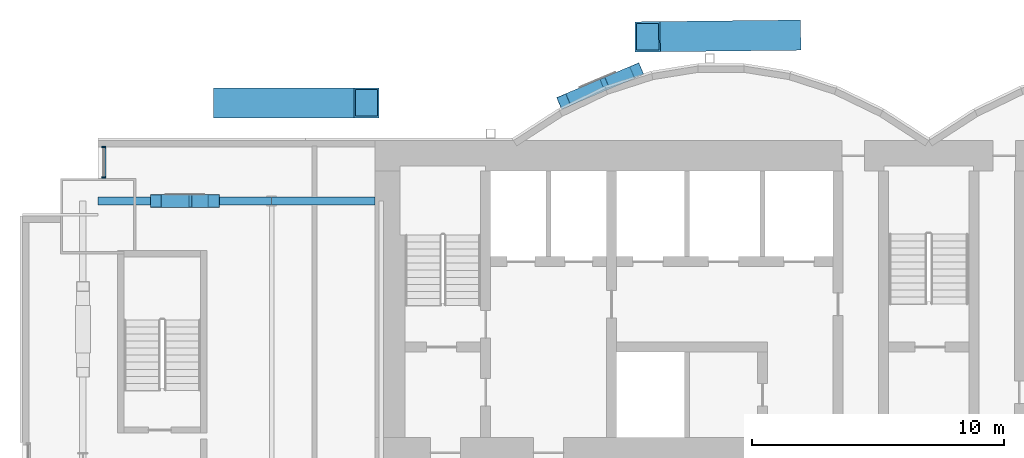
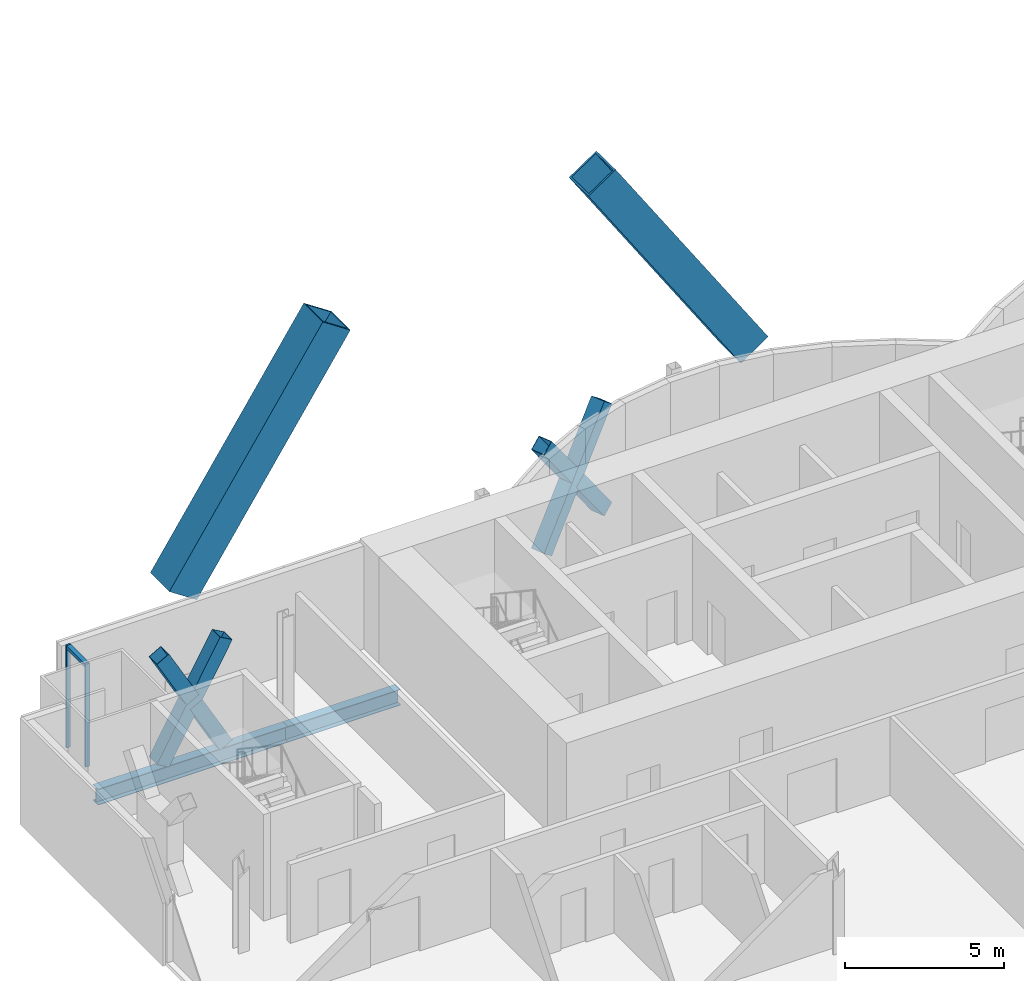
# One storey, part 11 of 22: 11 members, 2 beams, 1 element without a shape of its own.
"""IFC4 building model written with IfcOpenShell, lengths in metres."""

from ifc_helpers import new_model, si_unit, direction, frame, origin, origin_2d, place, context, subcontext, project, spatial, rectangle, hollow_rectangle, i_section, extrude, material, material_profile, profile_set, type_object, element, aggregate, save


model = new_model("IFC4")

# Units and contexts
model_context = context("Model", 3, precision=1e-05, world=origin(), true_north=direction((0.0, 1.0)))
body_context = subcontext(model_context, "Body", "Model", "MODEL_VIEW")
ifc_project = project(units=[si_unit("LENGTHUNIT", "METRE"), si_unit("AREAUNIT", "SQUARE_METRE"), si_unit("VOLUMEUNIT", "CUBIC_METRE"), si_unit("PLANEANGLEUNIT", "RADIAN"), si_unit("MASSUNIT", "GRAM", prefix="KILO")], contexts=[model_context])

# Site, building, storey
site_placement = place(None, origin())
site = spatial("IfcSite", under=ifc_project, at=site_placement, CompositionType="ELEMENT")
building_placement = place(site_placement, origin())
building = spatial("IfcBuilding", under=site, at=building_placement, Name="Bicima Exchange Tower", CompositionType="ELEMENT")
storey_placement = place(building_placement, frame((0.0, 0.0, 94.0)))
storey = spatial("IfcBuildingStorey", under=building, at=storey_placement, Name="L19", CompositionType="ELEMENT", Elevation=94.0)

# Members
ifc_material_1 = material(Name="Steel ASTM A572 Gr 50", Category="steel")
ifc_material_profile_1 = material_profile(ifc_material_1, hollow_rectangle(XDim=1.199951171875, YDim=1.199951171875, WallThickness=0.070068359375, at=origin_2d()))
ifc_profile_set_1 = profile_set([ifc_material_profile_1], Name="Steel ASTM A572 Gr 50")
member_type_1 = type_object("IfcMemberType", Name="Exo mega brace BOX 1200x1200x70", PredefinedType="BRACE", material=ifc_profile_set_1)
member_1_placement = place(storey_placement, frame((-27.916748046875, 1.5, 3.416748046875), z_axis=(0.55281335708, 0.0, 0.833305101529), x_axis=(0.0, 1.0, 0.0)))
element("IfcMember", 1, at=member_1_placement, inside=storey, type_object=member_type_1, Name="Exo mega brace rear", PredefinedType="BRACE", context=body_context, shape_type="SweptSolid", body=[
    extrude(hollow_rectangle(XDim=1.199951171875, YDim=1.199951171875, WallThickness=0.070068359375, at=origin_2d()), origin(), (0.0, 0.0, 1.0), 10.10009765625),
])
member_2_placement = place(storey_placement, frame((-5.583251953125, 4.1865234375, 3.416748046875), z_axis=(-0.552803101452, -0.006091227878, 0.833289642302), x_axis=(0.011018133066, -0.99993929853, 0.0)))
element("IfcMember", 2, at=member_2_placement, inside=storey, type_object=member_type_1, Name="Exo mega brace rear", PredefinedType="BRACE", context=body_context, shape_type="SweptSolid", body=[
    extrude(hollow_rectangle(XDim=1.199951171875, YDim=1.199951171875, WallThickness=0.070068359375, at=origin_2d()), origin(), (0.0, 0.0, 1.0), 10.100341796875),
])

# Curtain wall, members
ifc_material_2 = material(Name="Anodised bronze aluminium", Category="aluminium")
curtain_wall_type = type_object("IfcCurtainWallType", Name="Front glass wall", PredefinedType="NOTDEFINED", material=ifc_material_2)
curtain_wall_placement = place(storey_placement, origin())
curtain_wall = element("IfcCurtainWall", 3, at=curtain_wall_placement, inside=storey, type_object=curtain_wall_type, Name="Front glass wall L19 run 1", PredefinedType="NOTDEFINED")
ifc_material_profile_2 = material_profile(ifc_material_2, rectangle(XDim=0.159912109375, YDim=0.06005859375, at=origin_2d()))
ifc_profile_set_2 = profile_set([ifc_material_profile_2], Name="Anodised bronze aluminium")
member_type_2 = type_object("IfcMemberType", Name="Front glass wall mullion 60 x 160", PredefinedType="MULLION", material=ifc_profile_set_2)
member_3_placement = place(storey_placement, frame((-32.77001953125, -0.260009765625, 0.0), z_axis=(0.0, 0.0, 1.0), x_axis=(1.0, 0.0, 0.0)))
member_3 = element("IfcMember", 4, at=member_3_placement, type_object=member_type_2, Name="Front glass wall mullion 1", PredefinedType="MULLION", context=body_context, shape_type="SweptSolid", body=[
    extrude(rectangle(XDim=0.159912109375, YDim=0.06005859375, at=origin_2d()), origin(), (0.0, 0.0, 1.0), 3.949951171875),
])
member_4_placement = place(storey_placement, frame((-32.77001953125, -1.469970703125, 0.0), z_axis=(0.0, 0.0, 1.0), x_axis=(1.0, 0.0, 0.0)))
member_4 = element("IfcMember", 5, at=member_4_placement, type_object=member_type_2, Name="Front glass wall mullion 2", PredefinedType="MULLION", context=body_context, shape_type="SweptSolid", body=[
    extrude(rectangle(XDim=0.159912109375, YDim=0.06005859375, at=origin_2d()), origin(), (0.0, 0.0, 1.0), 3.949951171875),
])
ifc_material_profile_3 = material_profile(ifc_material_2, rectangle(XDim=0.159912109375, YDim=0.139892578125, at=origin_2d()))
ifc_profile_set_3 = profile_set([ifc_material_profile_3], Name="Anodised bronze aluminium")
member_type_3 = type_object("IfcMemberType", Name="Front glass wall transom 140 x 160", PredefinedType="USERDEFINED", material=ifc_profile_set_3)
member_5_placement = place(storey_placement, frame((-32.77001953125, -0.2900390625, 3.8798828125), z_axis=(0.0, -1.0, 0.0), x_axis=(1.0, 0.0, 0.0)))
member_5 = element("IfcMember", 6, at=member_5_placement, type_object=member_type_3, Name="Front glass wall transom 1.1", ObjectType="TRANSOM", PredefinedType="USERDEFINED", context=body_context, shape_type="SweptSolid", body=[
    extrude(rectangle(XDim=0.159912109375, YDim=0.139892578125, at=origin_2d()), origin(), (0.0, 0.0, 1.0), 1.14990234375),
])
aggregate(curtain_wall, [member_3, member_4, member_5])

# Members
ifc_material_profile_4 = material_profile(ifc_material_1, hollow_rectangle(XDim=0.508056640625, YDim=0.508056640625, WallThickness=0.0146484375, at=origin_2d()))
ifc_profile_set_4 = profile_set([ifc_material_profile_4], Name="Steel ASTM A572 Gr 50")
member_type_4 = type_object("IfcMemberType", Name="Mega brace HSS20x20x5/8", PredefinedType="BRACE", material=ifc_profile_set_4)
member_6_placement = place(storey_placement, frame((-14.5, 1.55615234375, 0.0), z_axis=(0.560941150383, 0.237353950314, 0.793100326615), x_axis=(-0.389685518438, 0.920947988064, 0.0)))
element("IfcMember", 7, at=member_6_placement, inside=storey, type_object=member_type_4, Name="Mega brace rexo", PredefinedType="BRACE", context=body_context, shape_type="SweptSolid", body=[
    extrude(hollow_rectangle(XDim=0.508056640625, YDim=0.508056640625, WallThickness=0.0146484375, at=origin_2d()), origin(), (0.0, 0.0, 1.0), 5.169677734375),
])
member_7_placement = place(storey_placement, frame((-11.60009765625, 2.783203125, 0.0), z_axis=(-0.560887533609, -0.237325854329, 0.793146653217), x_axis=(0.389677985995, -0.92095117527, 0.0)))
element("IfcMember", 8, at=member_7_placement, inside=storey, type_object=member_type_4, Name="Mega brace rexo", PredefinedType="BRACE", context=body_context, shape_type="SweptSolid", body=[
    extrude(hollow_rectangle(XDim=0.508056640625, YDim=0.508056640625, WallThickness=0.0146484375, at=origin_2d()), origin(), (0.0, 0.0, 1.0), 2.4091796875),
])
member_8_placement = place(storey_placement, frame((-13.1484375, 2.128173828125, 2.189208984375), z_axis=(-0.560943491505, -0.237407984212, 0.793082497834), x_axis=(0.389759375924, -0.92091673287, 0.0)))
element("IfcMember", 9, at=member_8_placement, inside=storey, type_object=member_type_4, Name="Mega brace rexo", PredefinedType="BRACE", context=body_context, shape_type="SweptSolid", body=[
    extrude(hollow_rectangle(XDim=0.508056640625, YDim=0.508056640625, WallThickness=0.0146484375, at=origin_2d()), origin(), (0.0, 0.0, 1.0), 2.409423828125),
])
member_9_placement = place(storey_placement, frame((-30.699951171875, -2.39990234375, 0.0), z_axis=(0.489250010841, 0.0, 0.87214358158), x_axis=(0.0, 1.0, 0.0)))
element("IfcMember", 10, at=member_9_placement, inside=storey, type_object=member_type_4, Name="Mega brace rear", PredefinedType="BRACE", context=body_context, shape_type="SweptSolid", body=[
    extrude(hollow_rectangle(XDim=0.508056640625, YDim=0.508056640625, WallThickness=0.0146484375, at=origin_2d()), origin(), (0.0, 0.0, 1.0), 4.701171875),
])
for number, where, z_axis, x_axis, name in (
    (11, (-28.39990234375, -2.39990234375, 0.0), (-0.489285619869, 0.0, 0.87212360488), (0.0, -1.0, 0.0), "Mega brace rear"),
    (12, (-29.61279296875, -2.39990234375, 2.161865234375), (-0.489202058925, 0.0, 0.872170479633), (0.0, -1.0, 0.0), "Mega brace rear"),
):
    element("IfcMember", number, at=place(storey_placement, frame(where, z_axis=z_axis, x_axis=x_axis)), inside=storey, type_object=member_type_4, Name=name, PredefinedType="BRACE", context=body_context, shape_type="SweptSolid", body=[
        extrude(hollow_rectangle(XDim=0.508056640625, YDim=0.508056640625, WallThickness=0.0146484375, at=origin_2d()), origin(), (0.0, 0.0, 1.0), 2.222412109375),
    ])

# Beams
ifc_material_3 = material(Name="Steel ASTM A992 Gr 50", Category="steel")
ifc_material_profile_5 = material_profile(ifc_material_3, i_section(OverallWidth=0.3251953125, OverallDepth=0.612060546875, WebThickness=0.0126953125, FlangeThickness=0.01904296875, at=origin_2d()))
ifc_profile_set_5 = profile_set([ifc_material_profile_5], Name="Steel ASTM A992 Gr 50")
beam_type = type_object("IfcBeamType", Name="Rear girder W24x104", PredefinedType="BEAM", material=ifc_profile_set_5)
beam_1_placement = place(storey_placement, frame((-22.0, -2.39990234375, -0.4560546875), z_axis=(-1.0, 0.0, 0.0), x_axis=(0.0, -1.0, 0.0)))
element("IfcBeam", 13, at=beam_1_placement, inside=storey, type_object=beam_type, Name="Rear girder", PredefinedType="BEAM", context=body_context, shape_type="SweptSolid", body=[
    extrude(i_section(OverallWidth=0.3251953125, OverallDepth=0.612060546875, WebThickness=0.0126953125, FlangeThickness=0.01904296875, at=origin_2d()), origin(), (0.0, 0.0, 1.0), 4.10009765625),
])
beam_2_placement = place(storey_placement, frame((-26.10009765625, -2.39990234375, -0.4560546875), z_axis=(-1.0, 0.0, 0.0), x_axis=(0.0, -1.0, 0.0)))
element("IfcBeam", 14, at=beam_2_placement, inside=storey, type_object=beam_type, Name="Rear girder", PredefinedType="BEAM", context=body_context, shape_type="SweptSolid", body=[
    extrude(i_section(OverallWidth=0.3251953125, OverallDepth=0.612060546875, WebThickness=0.0126953125, FlangeThickness=0.01904296875, at=origin_2d()), origin(), (0.0, 0.0, 1.0), 6.89990234375),
])

save(model, "model.ifc")
